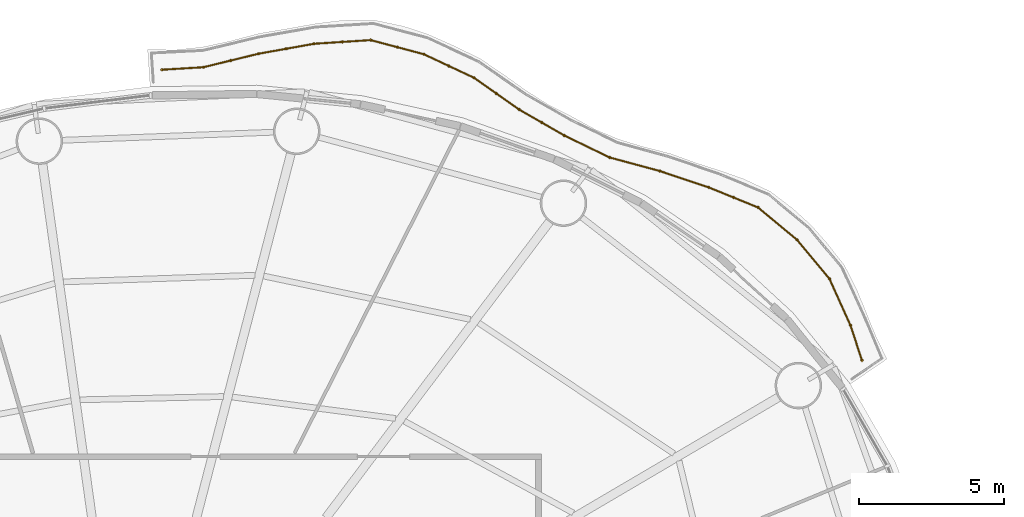
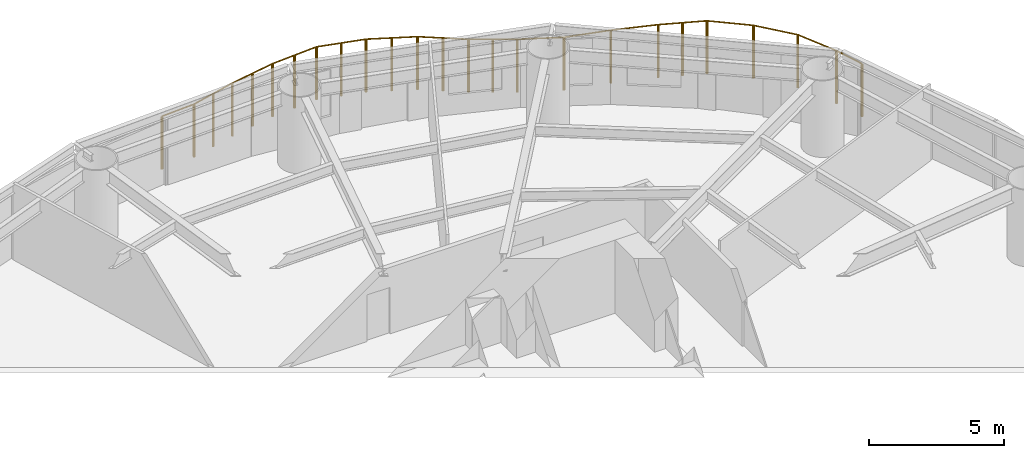
# One storey, part 16 of 16: 1 railing.
"""IFC4 building model written with IfcOpenShell, lengths in metres."""

from ifc_helpers import new_model, si_unit, direction, frame, origin, origin_2d, place, context, subcontext, project, spatial, circle, extrude, material, type_object, element, save


model = new_model("IFC4")

# Units and contexts
model_context = context("Model", 3, precision=1e-05, world=origin(), true_north=direction((0.0, 1.0)))
body_context = subcontext(model_context, "Body", "Model", "MODEL_VIEW")
ifc_project = project(units=[si_unit("LENGTHUNIT", "METRE"), si_unit("AREAUNIT", "SQUARE_METRE"), si_unit("VOLUMEUNIT", "CUBIC_METRE"), si_unit("PLANEANGLEUNIT", "RADIAN"), si_unit("MASSUNIT", "GRAM", prefix="KILO")], contexts=[model_context])

# Site, building, storey
site_placement = place(None, origin())
site = spatial("IfcSite", under=ifc_project, at=site_placement, CompositionType="ELEMENT")
building_placement = place(site_placement, origin())
building = spatial("IfcBuilding", under=site, at=building_placement, Name="Vermilion Reach Broadcast Tower", CompositionType="ELEMENT")
storey_placement = place(building_placement, frame((0.0, 0.0, 99.39990234375)))
storey = spatial("IfcBuildingStorey", under=building, at=storey_placement, Name="L22", CompositionType="ELEMENT", Elevation=99.39990234375)

# Railing
ifc_material = material(Name="Terracotta baguette", Category="masonry")
railing_type = type_object("IfcRailingType", Name="BAGUETTE SCREEN", PredefinedType="USERDEFINED", material=ifc_material)
railing_placement = place(storey_placement, frame((19.23193359375, 14.414794921875, 0.0)))
element("IfcRailing", 1, at=railing_placement, inside=storey, type_object=railing_type, Name="Baguette screen L22 group 1", ObjectType="BAGUETTE SCREEN", PredefinedType="USERDEFINED", context=body_context, shape_type="SweptSolid", body=[
    extrude(circle(Radius=0.030029296875, at=origin_2d()), frame((0.0, 0.0, 2.369873046875), z_axis=(-0.312873574934, 0.949794781049, 0.0), x_axis=(-0.949794781049, -0.312873574934, 0.0)), (0.0, 0.0, 1.0), 1.267333984375),
    extrude(circle(Radius=0.030029296875, at=origin_2d()), frame((-0.396484375, 1.20361328125, 2.369873046875), z_axis=(-0.411277600524, 0.911510139992, 0.0), x_axis=(-0.911510139992, -0.411277600524, 0.0)), (0.0, 0.0, 1.0), 1.756591796875),
    extrude(circle(Radius=0.030029296875, at=origin_2d()), frame((-1.118896484375, 2.8046875, 2.369873046875), z_axis=(-0.639442694815, 0.76883876076, 0.0), x_axis=(-0.76883876076, -0.639442694815, 0.0)), (0.0, 0.0, 1.0), 1.7490234375),
    extrude(circle(Radius=0.030029296875, at=origin_2d()), frame((-2.2373046875, 4.1494140625, 2.369873046875), z_axis=(-0.769897487705, 0.638167578639, 0.0), x_axis=(-0.638167578639, -0.769897487705, 0.0)), (0.0, 0.0, 1.0), 1.740234375),
    extrude(circle(Radius=0.030029296875, at=origin_2d()), frame((-3.5771484375, 5.260009765625, 2.369873046875), z_axis=(-0.926014219231, 0.377488630004, 0.0), x_axis=(-0.377488630004, -0.926014219231, 0.0)), (0.0, 0.0, 1.0), 1.820068359375),
    extrude(circle(Radius=0.030029296875, at=origin_2d()), frame((-5.262451171875, 5.947021484375, 2.369873046875), z_axis=(-0.948243637165, 0.317543704985, 0.0), x_axis=(-0.317543704985, -0.948243637165, 0.0)), (0.0, 0.0, 1.0), 1.780517578125),
    extrude(circle(Radius=0.030029296875, at=origin_2d()), frame((-6.950927734375, 6.512451171875, 2.369873046875), z_axis=(-0.965377300919, 0.2608575605, 0.0), x_axis=(-0.2608575605, -0.965377300919, 0.0)), (0.0, 0.0, 1.0), 1.792236328125),
    extrude(circle(Radius=0.030029296875, at=origin_2d()), frame((-8.68115234375, 6.97998046875, 2.369873046875), z_axis=(-0.899815788378, 0.436270039064, 0.0), x_axis=(-0.436270039064, -0.899815788378, 0.0)), (0.0, 0.0, 1.0), 1.7275390625),
    extrude(circle(Radius=0.030029296875, at=origin_2d()), frame((-10.235595703125, 7.733642578125, 2.369873046875), z_axis=(-0.867131697321, 0.498078928987, 0.0), x_axis=(-0.498078928987, -0.867131697321, 0.0)), (0.0, 0.0, 1.0), 1.80126953125),
    extrude(circle(Radius=0.030029296875, at=origin_2d()), frame((-11.797607421875, 8.630859375, 2.369873046875), z_axis=(-0.817543180699, 0.57586730042, 0.0), x_axis=(-0.57586730042, -0.817543180699, 0.0)), (0.0, 0.0, 1.0), 1.89208984375),
    extrude(circle(Radius=0.030029296875, at=origin_2d()), frame((-13.344482421875, 9.720458984375, 2.369873046875), z_axis=(-0.905200810265, 0.424984109226, 0.0), x_axis=(-0.424984109226, -0.905200810265, 0.0)), (0.0, 0.0, 1.0), 1.909423828125),
    extrude(circle(Radius=0.030029296875, at=origin_2d()), frame((-15.072998046875, 10.531982421875, 2.369873046875), z_axis=(-0.966489634523, 0.256705641465, 0.0), x_axis=(-0.256705641465, -0.966489634523, 0.0)), (0.0, 0.0, 1.0), 1.8896484375),
    extrude(circle(Radius=0.030029296875, at=origin_2d()), frame((-16.8994140625, 11.01708984375, 2.369873046875), z_axis=(-0.997912318619, -0.064583313233, 0.0), x_axis=(0.064583313233, -0.997912318619, 0.0)), (0.0, 0.0, 1.0), 1.95068359375),
    extrude(circle(Radius=0.030029296875, at=origin_2d()), frame((-18.845947265625, 10.89111328125, 2.369873046875), z_axis=(-0.984302510777, -0.176489567053, 0.0), x_axis=(0.176489567053, -0.984302510777, 0.0)), (0.0, 0.0, 1.0), 1.9462890625),
    extrude(circle(Radius=0.030029296875, at=origin_2d()), frame((-20.76171875, 10.547607421875, 2.369873046875), z_axis=(-0.971301441161, -0.237851866501, 0.0), x_axis=(0.237851866501, -0.971301441161, 0.0)), (0.0, 0.0, 1.0), 1.951171875),
    extrude(circle(Radius=0.030029296875, at=origin_2d()), frame((-22.656982421875, 10.08349609375, 2.369873046875), z_axis=(-0.998197250964, -0.060018731805, 0.0), x_axis=(0.060018731805, -0.998197250964, 0.0)), (0.0, 0.0, 1.0), 1.423828125),
    extrude(circle(Radius=0.050048828125, at=origin_2d()), origin(), (0.0, 0.0, 1.0), 2.33984375),
    extrude(circle(Radius=0.050048828125, at=origin_2d()), frame((-0.396484375, 1.20361328125, 0.0)), (0.0, 0.0, 1.0), 2.33984375),
    extrude(circle(Radius=0.050048828125, at=origin_2d()), frame((-1.118896484375, 2.8046875, 0.0)), (0.0, 0.0, 1.0), 2.33984375),
    extrude(circle(Radius=0.050048828125, at=origin_2d()), frame((-2.2373046875, 4.1494140625, 0.0)), (0.0, 0.0, 1.0), 2.33984375),
    extrude(circle(Radius=0.050048828125, at=origin_2d()), frame((-3.5771484375, 5.260009765625, 0.0)), (0.0, 0.0, 1.0), 2.33984375),
    extrude(circle(Radius=0.050048828125, at=origin_2d()), frame((-4.419921875, 5.603515625, 0.0)), (0.0, 0.0, 1.0), 2.33984375),
    extrude(circle(Radius=0.050048828125, at=origin_2d()), frame((-5.262451171875, 5.947021484375, 0.0)), (0.0, 0.0, 1.0), 2.33984375),
    extrude(circle(Radius=0.050048828125, at=origin_2d()), frame((-6.950927734375, 6.512451171875, 0.0)), (0.0, 0.0, 1.0), 2.33984375),
    extrude(circle(Radius=0.050048828125, at=origin_2d()), frame((-8.68115234375, 6.97998046875, 0.0)), (0.0, 0.0, 1.0), 2.33984375),
    extrude(circle(Radius=0.050048828125, at=origin_2d()), frame((-10.235595703125, 7.733642578125, 0.0)), (0.0, 0.0, 1.0), 2.33984375),
    extrude(circle(Radius=0.050048828125, at=origin_2d()), frame((-11.0166015625, 8.18212890625, 0.0)), (0.0, 0.0, 1.0), 2.33984375),
    extrude(circle(Radius=0.050048828125, at=origin_2d()), frame((-11.797607421875, 8.630859375, 0.0)), (0.0, 0.0, 1.0), 2.33984375),
    extrude(circle(Radius=0.050048828125, at=origin_2d()), frame((-12.571044921875, 9.17578125, 0.0)), (0.0, 0.0, 1.0), 2.33984375),
    extrude(circle(Radius=0.050048828125, at=origin_2d()), frame((-13.344482421875, 9.720458984375, 0.0)), (0.0, 0.0, 1.0), 2.33984375),
    extrude(circle(Radius=0.050048828125, at=origin_2d()), frame((-14.208740234375, 10.126220703125, 0.0)), (0.0, 0.0, 1.0), 2.33984375),
    extrude(circle(Radius=0.050048828125, at=origin_2d()), frame((-15.072998046875, 10.531982421875, 0.0)), (0.0, 0.0, 1.0), 2.33984375),
    extrude(circle(Radius=0.050048828125, at=origin_2d()), frame((-15.986328125, 10.7744140625, 0.0)), (0.0, 0.0, 1.0), 2.33984375),
    extrude(circle(Radius=0.050048828125, at=origin_2d()), frame((-16.8994140625, 11.01708984375, 0.0)), (0.0, 0.0, 1.0), 2.33984375),
    extrude(circle(Radius=0.050048828125, at=origin_2d()), frame((-17.87255859375, 10.9541015625, 0.0)), (0.0, 0.0, 1.0), 2.33984375),
    extrude(circle(Radius=0.050048828125, at=origin_2d()), frame((-18.845947265625, 10.89111328125, 0.0)), (0.0, 0.0, 1.0), 2.33984375),
    extrude(circle(Radius=0.050048828125, at=origin_2d()), frame((-19.8037109375, 10.71923828125, 0.0)), (0.0, 0.0, 1.0), 2.33984375),
    extrude(circle(Radius=0.050048828125, at=origin_2d()), frame((-20.76171875, 10.547607421875, 0.0)), (0.0, 0.0, 1.0), 2.33984375),
    extrude(circle(Radius=0.050048828125, at=origin_2d()), frame((-21.70947265625, 10.3154296875, 0.0)), (0.0, 0.0, 1.0), 2.33984375),
    extrude(circle(Radius=0.050048828125, at=origin_2d()), frame((-22.656982421875, 10.08349609375, 0.0)), (0.0, 0.0, 1.0), 2.33984375),
    extrude(circle(Radius=0.050048828125, at=origin_2d()), frame((-24.078125, 9.998046875, 0.0)), (0.0, 0.0, 1.0), 2.33984375),
])

save(model, "model.ifc")
